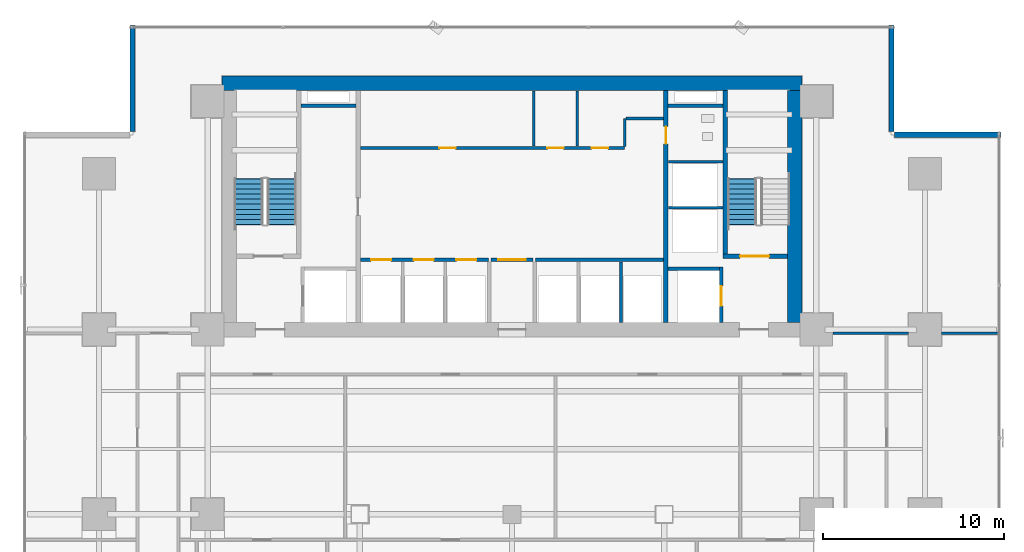
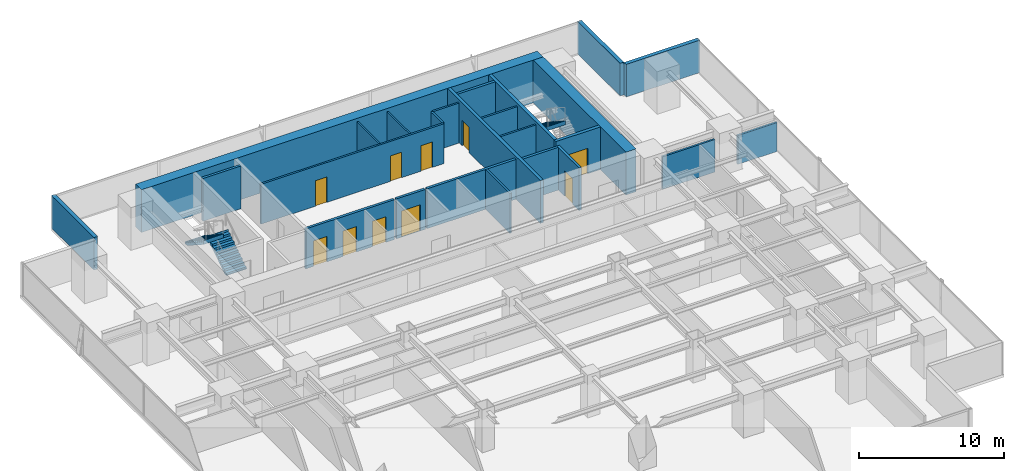
# One storey, part 25 of 32: 25 walls, 10 doors, 3 stair flights, 10 openings, 2 elements without a shape of their own.
"""IFC4 building model written with IfcOpenShell, lengths in metres."""

from ifc_helpers import new_model, si_unit, direction, frame, frame_2d, origin, place, context, subcontext, project, spatial, polyline, rectangle, outline, extrude, source, transform, mapped, material, layer, layer_set, type_object, element, fill, aggregate, save


model = new_model("IFC4")

# Units and contexts
model_context = context("Model", 3, precision=1e-05, world=origin(), true_north=direction((0.0, 1.0)))
body_context = subcontext(model_context, "Body", "Model", "MODEL_VIEW")
ifc_project = project(units=[si_unit("LENGTHUNIT", "METRE"), si_unit("AREAUNIT", "SQUARE_METRE"), si_unit("VOLUMEUNIT", "CUBIC_METRE"), si_unit("PLANEANGLEUNIT", "RADIAN"), si_unit("MASSUNIT", "GRAM", prefix="KILO")], contexts=[model_context])

# Site, building, storey
site_placement = place(None, origin())
site = spatial("IfcSite", under=ifc_project, at=site_placement, CompositionType="ELEMENT")
building_placement = place(site_placement, origin())
building = spatial("IfcBuilding", under=site, at=building_placement, Name="Sumidabori Civic Tower", CompositionType="ELEMENT")
storey_placement = place(building_placement, frame((0.0, 0.0, 52.39990234375)))
storey = spatial("IfcBuildingStorey", under=building, at=storey_placement, Name="L13", CompositionType="ELEMENT", Elevation=52.39990234375)

# Walls
ifc_material_1 = material(Name="Concrete C60/75", Category="concrete")
ifc_layer_1 = layer(ifc_material_1, 0.800048828125, Name="Concrete C60/75")
ifc_layer_set_1 = layer_set([ifc_layer_1], Name="Concrete C60/75")
wall_type_1 = type_object("IfcWallType", Name="WL-CORE-800", PredefinedType="SHEAR", material=ifc_layer_set_1)
shared_shape_1 = source(origin(), body_context, "Body", "SweptSolid", [
    extrude(rectangle(XDim=32.0, YDim=0.800048828125, at=frame_2d((16.0, 0.0))), origin(), (0.0, 0.0, 1.0), 3.60009765625),
])
wall_1_placement = place(storey_placement, frame((-16.0, 23.800048828125, 0.0), z_axis=(0.0, 0.0, 1.0), x_axis=(1.0, 0.0, 0.0)))
element("IfcWall", 1, at=wall_1_placement, inside=storey, type_object=wall_type_1, Name="Core Shear Wall L13 N", PredefinedType="SHEAR", context=body_context, shape_type="MappedRepresentation", body=[
    mapped(shared_shape_1, transform((0.0, 0.0, 0.0), x_axis=(1.0, 0.0, 0.0), y_axis=(0.0, 1.0, 0.0), z_axis=(0.0, 0.0, 1.0), scale=1.0)),
])
shared_shape_2 = source(origin(), body_context, "Body", "SweptSolid", [
    extrude(rectangle(XDim=12.7998046875, YDim=0.800048828125, at=frame_2d((6.39990234375, 0.0))), origin(), (0.0, 0.0, 1.0), 3.60009765625),
])
wall_2_placement = place(storey_placement, frame((15.60009765625, 10.60009765625, 0.0), z_axis=(0.0, 0.0, 1.0), x_axis=(0.0, 1.0, 0.0)))
element("IfcWall", 2, at=wall_2_placement, inside=storey, type_object=wall_type_1, Name="Core Shear Wall L13 E", PredefinedType="SHEAR", context=body_context, shape_type="MappedRepresentation", body=[
    mapped(shared_shape_2, transform((0.0, 0.0, 0.0), x_axis=(1.0, 0.0, 0.0), y_axis=(0.0, 1.0, 0.0), z_axis=(0.0, 0.0, 1.0), scale=1.0)),
])

# Wall, opening, door
ifc_material_2 = material(Name="Concrete C50/60", Category="concrete")
ifc_layer_2 = layer(ifc_material_2, 0.25, Name="Concrete C50/60")
ifc_layer_set_2 = layer_set([ifc_layer_2], Name="Concrete C50/60")
wall_type_2 = type_object("IfcWallType", Name="WL-SHAFT-250", PredefinedType="SHEAR", material=ifc_layer_set_2)
shared_shape_3 = source(origin(), body_context, "Body", "SweptSolid", [
    extrude(rectangle(XDim=12.7998046875, YDim=0.25, at=frame_2d((6.39990234375, 0.0))), origin(), (0.0, 0.0, 1.0), 3.60009765625),
])
wall_3_placement = place(storey_placement, frame((8.5, 10.60009765625, 0.0), z_axis=(0.0, 0.0, 1.0), x_axis=(0.0, 1.0, 0.0)))
wall_3 = element("IfcWall", 3, at=wall_3_placement, inside=storey, type_object=wall_type_2, Name="Core Shear Wall L13 WEB-E", PredefinedType="SHEAR", context=body_context, shape_type="MappedRepresentation", body=[
    mapped(shared_shape_3, transform((0.0, 0.0, 0.0), x_axis=(1.0, 0.0, 0.0), y_axis=(0.0, 1.0, 0.0), z_axis=(0.0, 0.0, 1.0), scale=1.0)),
])
opening_1_placement = place(wall_3_placement, frame((9.85009765625, 0.0, 0.0)))
opening_1 = element("IfcOpeningElement", 4, at=opening_1_placement, cuts=wall_3, Name="Opening DR-2", PredefinedType="OPENING", context=body_context, shape_type="SweptSolid", body=[
    extrude(rectangle(XDim=0.949951171875, YDim=2.14990234375, at=frame_2d((0.47509765625, 1.074951171875))), frame((0.0, 0.136962890625, 0.0), z_axis=(0.0, -1.0, 0.0), x_axis=(1.0, 0.0, 0.0)), (0.0, 0.0, 1.0), 0.27392578125),
])
ifc_material_3 = material(Name="Japanese Hinoki Timber", Category="wood")
door_type_1 = type_object("IfcDoorType", Name="DR-INT-950", OperationType="NOTDEFINED", PredefinedType="DOOR", material=ifc_material_3)
shared_shape_4 = source(origin(), body_context, "Body", "SweptSolid", [
    extrude(rectangle(XDim=0.949951171875, YDim=2.14990234375, at=frame_2d((0.47509765625, 1.074951171875))), frame((0.0, 0.02490234375, 0.0), z_axis=(0.0, -1.0, 0.0), x_axis=(1.0, 0.0, 0.0)), (0.0, 0.0, 1.0), 0.050048828125),
])
door_1_placement = place(opening_1_placement, origin())
door_1 = element("IfcDoor", 5, at=door_1_placement, inside=storey, type_object=door_type_1, Name="Door DR:L13:WC-ACC", OperationType="SINGLE_SWING_RIGHT", OverallHeight=2.14990234375, OverallWidth=0.949951171875, PredefinedType="DOOR", context=body_context, shape_type="MappedRepresentation", body=[
    mapped(shared_shape_4, transform((0.0, 0.0, 0.0), x_axis=(1.0, 0.0, 0.0), y_axis=(0.0, 1.0, 0.0), z_axis=(0.0, 0.0, 1.0), scale=1.0)),
])
fill(opening_1, door_1)

shared_shape_5 = source(origin(), body_context, "Body", "SweptSolid", [
    extrude(rectangle(XDim=3.554931640625, YDim=0.25, at=frame_2d((1.77734375, 0.0))), origin(), (0.0, 0.0, 1.0), 3.60009765625),
])
wall_4_placement = place(storey_placement, frame((11.64501953125, 14.25, 0.0), z_axis=(0.0, 0.0, 1.0), x_axis=(1.0, 0.0, 0.0)))
wall_4 = element("IfcWall", 6, at=wall_4_placement, inside=storey, type_object=wall_type_2, Name="Core Shear Wall L13 ST2-S", PredefinedType="SHEAR", context=body_context, shape_type="MappedRepresentation", body=[
    mapped(shared_shape_5, transform((0.0, 0.0, 0.0), x_axis=(1.0, 0.0, 0.0), y_axis=(0.0, 1.0, 0.0), z_axis=(0.0, 0.0, 1.0), scale=1.0)),
])
opening_2_placement = place(wall_4_placement, frame((0.949951171875, 0.0, 0.0)))
opening_2 = element("IfcOpeningElement", 7, at=opening_2_placement, cuts=wall_4, Name="Opening DR-FD4", PredefinedType="OPENING", context=body_context, shape_type="SweptSolid", body=[
    extrude(rectangle(XDim=1.60009765625, YDim=2.14990234375, at=frame_2d((0.800048828125, 1.074951171875))), frame((0.0, 0.136962890625, 0.0), z_axis=(0.0, -1.0, 0.0), x_axis=(1.0, 0.0, 0.0)), (0.0, 0.0, 1.0), 0.27392578125),
])
ifc_material_4 = material(Name="Steel SN490", Category="steel")
door_type_2 = type_object("IfcDoorType", Name="DR-FD4", OperationType="DOUBLE_DOOR_SINGLE_SWING", PredefinedType="DOOR", material=ifc_material_4)
shared_shape_6 = source(origin(), body_context, "Body", "SweptSolid", [
    extrude(rectangle(XDim=1.60009765625, YDim=2.14990234375, at=frame_2d((0.800048828125, 1.074951171875))), frame((0.0, 0.02490234375, 0.0), z_axis=(0.0, -1.0, 0.0), x_axis=(1.0, 0.0, 0.0)), (0.0, 0.0, 1.0), 0.050048828125),
])
door_2_placement = place(opening_2_placement, origin())
door_2 = element("IfcDoor", 8, at=door_2_placement, inside=storey, type_object=door_type_2, Name="Door DR:L13:ST2", OperationType="DOUBLE_DOOR_SINGLE_SWING", OverallHeight=2.14990234375, OverallWidth=1.60009765625, PredefinedType="DOOR", context=body_context, shape_type="MappedRepresentation", body=[
    mapped(shared_shape_6, transform((0.0, 0.0, 0.0), x_axis=(1.0, 0.0, 0.0), y_axis=(0.0, 1.0, 0.0), z_axis=(0.0, 0.0, 1.0), scale=1.0)),
])
fill(opening_2, door_2)

# Wall
shared_shape_7 = source(origin(), body_context, "Body", "SweptSolid", [
    extrude(rectangle(XDim=9.02490234375, YDim=0.25, at=frame_2d((4.512451171875, 0.0))), origin(), (0.0, 0.0, 1.0), 3.60009765625),
])
wall_5_placement = place(storey_placement, frame((11.77001953125, 14.375, 0.0), z_axis=(0.0, 0.0, 1.0), x_axis=(0.0, 1.0, 0.0)))
element("IfcWall", 9, at=wall_5_placement, inside=storey, type_object=wall_type_2, Name="Core Shear Wall L13 ST2-W", PredefinedType="SHEAR", context=body_context, shape_type="MappedRepresentation", body=[
    mapped(shared_shape_7, transform((0.0, 0.0, 0.0), x_axis=(1.0, 0.0, 0.0), y_axis=(0.0, 1.0, 0.0), z_axis=(0.0, 0.0, 1.0), scale=1.0)),
])

# Wall, opening, door
ifc_layer_3 = layer(ifc_material_2, 0.199951171875, Name="Concrete C50/60")
ifc_layer_set_3 = layer_set([ifc_layer_3], Name="Concrete C50/60")
wall_type_3 = type_object("IfcWallType", Name="WL-SHAFT-200", PredefinedType="SHEAR", material=ifc_layer_set_3)
shared_shape_8 = source(origin(), body_context, "Body", "SweptSolid", [
    extrude(rectangle(XDim=3.0498046875, YDim=0.199951171875, at=frame_2d((1.52490234375, 0.0))), origin(), (0.0, 0.0, 1.0), 3.60009765625),
])
wall_6_placement = place(storey_placement, frame((11.550048828125, 10.60009765625, 0.0), z_axis=(0.0, 0.0, 1.0), x_axis=(0.0, 1.0, 0.0)))
wall_6 = element("IfcWall", 10, at=wall_6_placement, inside=storey, type_object=wall_type_3, Name="Core Shear Wall L13 EL2-E", PredefinedType="SHEAR", context=body_context, shape_type="MappedRepresentation", body=[
    mapped(shared_shape_8, transform((0.0, 0.0, 0.0), x_axis=(1.0, 0.0, 0.0), y_axis=(0.0, 1.0, 0.0), z_axis=(0.0, 0.0, 1.0), scale=1.0)),
])
opening_3_placement = place(wall_6_placement, frame((0.89990234375, 0.0, 0.0)))
opening_3 = element("IfcOpeningElement", 11, at=opening_3_placement, cuts=wall_6, Name="Opening LD-2", PredefinedType="OPENING", context=body_context, shape_type="SweptSolid", body=[
    extrude(rectangle(XDim=1.10009765625, YDim=2.14990234375, at=frame_2d((0.550048828125, 1.074951171875))), frame((0.0, 0.11181640625, 0.0), z_axis=(0.0, -1.0, 0.0), x_axis=(1.0, 0.0, 0.0)), (0.0, 0.0, 1.0), 0.223876953125),
])
ifc_material_5 = material(Name="Stainless Steel Hairline Finish", Category="steel")
door_type_3 = type_object("IfcDoorType", Name="DR-LD2", OperationType="DOUBLE_DOOR_SLIDING", PredefinedType="DOOR", material=ifc_material_5)
shared_shape_9 = source(origin(), body_context, "Body", "SweptSolid", [
    extrude(rectangle(XDim=1.10009765625, YDim=2.14990234375, at=frame_2d((0.550048828125, 1.074951171875))), frame((0.0, 0.02490234375, 0.0), z_axis=(0.0, -1.0, 0.0), x_axis=(1.0, 0.0, 0.0)), (0.0, 0.0, 1.0), 0.050048828125),
])
door_3_placement = place(opening_3_placement, origin())
door_3 = element("IfcDoor", 12, at=door_3_placement, inside=storey, type_object=door_type_3, Name="Door DR:L13:LD-EL2", OperationType="DOUBLE_DOOR_SLIDING", OverallHeight=2.14990234375, OverallWidth=1.10009765625, PredefinedType="DOOR", context=body_context, shape_type="MappedRepresentation", body=[
    mapped(shared_shape_9, transform((0.0, 0.0, 0.0), x_axis=(1.0, 0.0, 0.0), y_axis=(0.0, 1.0, 0.0), z_axis=(0.0, 0.0, 1.0), scale=1.0)),
])
fill(opening_3, door_3)

# Walls
shared_shape_10 = source(origin(), body_context, "Body", "SweptSolid", [
    extrude(rectangle(XDim=2.824951171875, YDim=0.199951171875, at=frame_2d((1.41259765625, 0.0))), origin(), (0.0, 0.0, 1.0), 3.60009765625),
])
wall_7_placement = place(storey_placement, frame((8.625, 13.550048828125, 0.0), z_axis=(0.0, 0.0, 1.0), x_axis=(1.0, 0.0, 0.0)))
element("IfcWall", 13, at=wall_7_placement, inside=storey, type_object=wall_type_3, Name="Core Shear Wall L13 EL2-N", PredefinedType="SHEAR", context=body_context, shape_type="MappedRepresentation", body=[
    mapped(shared_shape_10, transform((0.0, 0.0, 0.0), x_axis=(1.0, 0.0, 0.0), y_axis=(0.0, 1.0, 0.0), z_axis=(0.0, 0.0, 1.0), scale=1.0)),
])
shared_shape_11 = source(origin(), body_context, "Body", "SweptSolid", [
    extrude(rectangle(XDim=3.02001953125, YDim=0.199951171875, at=frame_2d((1.510009765625, 0.0))), origin(), (0.0, 0.0, 1.0), 3.60009765625),
])
for number, where, z_axis, x_axis, name in (
    (14, (-11.64501953125, 22.550048828125, 0.0), (0.0, 0.0, 1.0), (1.0, 0.0, 0.0), "Core Shear Wall L13 RIS1-S"),
    (15, (8.625, 22.550048828125, 0.0), (0.0, 0.0, 1.0), (1.0, 0.0, 0.0), "Core Shear Wall L13 RIS2-S"),
):
    element("IfcWall", number, at=place(storey_placement, frame(where, z_axis=z_axis, x_axis=x_axis)), inside=storey, type_object=wall_type_3, Name=name, PredefinedType="SHEAR", context=body_context, shape_type="MappedRepresentation", body=[
        mapped(shared_shape_11, transform((0.0, 0.0, 0.0), x_axis=(1.0, 0.0, 0.0), y_axis=(0.0, 1.0, 0.0), z_axis=(0.0, 0.0, 1.0), scale=1.0)),
    ])
ifc_material_6 = material(Name="Precast concrete C40/50", Category="concrete")
ifc_layer_4 = layer(ifc_material_6, 0.300048828125, Name="Precast concrete C40/50")
ifc_layer_set_4 = layer_set([ifc_layer_4], Name="Precast concrete C40/50")
wall_type_4 = type_object("IfcWallType", Name="WL-EXT-POD300", PredefinedType="STANDARD", material=ifc_layer_set_4)
shared_shape_12 = source(origin(), body_context, "Body", "SweptSolid", [
    extrude(rectangle(XDim=5.85986328125, YDim=0.300048828125, at=frame_2d((2.929931640625, 0.0))), origin(), (0.0, 0.0, 1.0), 2.739990234375),
])
for number, where, z_axis, x_axis, name in (
    (16, (26.97998046875, 20.949951171875, 0.0), (0.0, 0.0, 1.0), (-1.0, 0.0, 0.0), "Notched Corner Spandrel Band L13-05"),
    (17, (20.949951171875, 21.1201171875, 0.0), (0.0, 0.0, 1.0), (0.0, 1.0, 0.0), "Notched Corner Spandrel Band L13-06"),
    (18, (-20.949951171875, 26.97998046875, 0.0), (0.0, 0.0, 1.0), (0.0, -1.0, 0.0), "Notched Corner Spandrel Band L13-08"),
):
    element("IfcWall", number, at=place(storey_placement, frame(where, z_axis=z_axis, x_axis=x_axis)), inside=storey, type_object=wall_type_4, Name=name, PredefinedType="STANDARD", context=body_context, shape_type="MappedRepresentation", body=[
        mapped(shared_shape_12, transform((0.0, 0.0, 0.0), x_axis=(1.0, 0.0, 0.0), y_axis=(0.0, 1.0, 0.0), z_axis=(0.0, 0.0, 1.0), scale=1.0)),
    ])
ifc_material_7 = material(Name="Gypsum Plasterboard Acoustic Partition")
ifc_layer_5 = layer(ifc_material_7, 0.14990234375, Name="Gypsum Plasterboard Acoustic Partition")
ifc_layer_set_5 = layer_set([ifc_layer_5], Name="Gypsum Plasterboard Acoustic Partition")
wall_type_5 = type_object("IfcWallType", Name="WL-PART-150", PredefinedType="PARTITIONING", material=ifc_layer_set_5)
shared_shape_13 = source(origin(), body_context, "Body", "SweptSolid", [
    extrude(rectangle(XDim=3.010009765625, YDim=0.14990234375, at=frame_2d((1.5048828125, 0.0))), origin(), (0.0, 0.0, 1.0), 3.360107421875),
])
for number, where, z_axis, x_axis, name in (
    (19, (8.6298828125, 16.919921875, 0.0), (0.0, 0.0, 1.0), (1.0, 0.0, 0.0), "Interior Partition WL:L13:DIV-OBS1"),
    (20, (8.6298828125, 19.469970703125, 0.0), (0.0, 0.0, 1.0), (1.0, 0.0, 0.0), "Interior Partition WL:L13:DIV-OBS2"),
):
    element("IfcWall", number, at=place(storey_placement, frame(where, z_axis=z_axis, x_axis=x_axis)), inside=storey, type_object=wall_type_5, Name=name, PredefinedType="PARTITIONING", context=body_context, shape_type="MappedRepresentation", body=[
        mapped(shared_shape_13, transform((0.0, 0.0, 0.0), x_axis=(1.0, 0.0, 0.0), y_axis=(0.0, 1.0, 0.0), z_axis=(0.0, 0.0, 1.0), scale=1.0)),
    ])

# Wall, openings, doors
ifc_material_8 = material(Name="Gypsum Plasterboard Fire Partition")
ifc_layer_6 = layer(ifc_material_8, 0.199951171875, Name="Gypsum Plasterboard Fire Partition")
ifc_layer_set_6 = layer_set([ifc_layer_6], Name="Gypsum Plasterboard Fire Partition")
wall_type_6 = type_object("IfcWallType", Name="WL-PART-FIRE", PredefinedType="PARTITIONING", material=ifc_layer_set_6)
shared_shape_14 = source(origin(), body_context, "Body", "SweptSolid", [
    extrude(rectangle(XDim=7.070068359375, YDim=0.199951171875, at=frame_2d((3.53515625, 0.0))), origin(), (0.0, 0.0, 1.0), 3.360107421875),
])
wall_8_placement = place(storey_placement, frame((-8.3701171875, 14.050048828125, 0.0), z_axis=(0.0, 0.0, 1.0), x_axis=(1.0, 0.0, 0.0)))
wall_8 = element("IfcWall", 21, at=wall_8_placement, inside=storey, type_object=wall_type_6, Name="Interior Partition WL:L13:CBAND-SW", PredefinedType="PARTITIONING", context=body_context, shape_type="MappedRepresentation", body=[
    mapped(shared_shape_14, transform((0.0, 0.0, 0.0), x_axis=(1.0, 0.0, 0.0), y_axis=(0.0, 1.0, 0.0), z_axis=(0.0, 0.0, 1.0), scale=1.0)),
])
opening_4_placement = place(wall_8_placement, frame((0.60009765625, 0.0, 0.0)))
opening_4 = element("IfcOpeningElement", 22, at=opening_4_placement, cuts=wall_8, Name="Opening LD-1", PredefinedType="OPENING", context=body_context, shape_type="SweptSolid", body=[
    extrude(rectangle(XDim=1.10009765625, YDim=2.14990234375, at=frame_2d((0.550048828125, 1.074951171875))), frame((0.0, 0.11181640625, 0.0), z_axis=(0.0, -1.0, 0.0), x_axis=(1.0, 0.0, 0.0)), (0.0, 0.0, 1.0), 0.223876953125),
])
opening_5_placement = place(wall_8_placement, frame((2.949951171875, 0.0, 0.0)))
opening_5 = element("IfcOpeningElement", 23, at=opening_5_placement, cuts=wall_8, Name="Opening LD-1", PredefinedType="OPENING", context=body_context, shape_type="SweptSolid", body=[
    extrude(rectangle(XDim=1.10009765625, YDim=2.14990234375, at=frame_2d((0.550048828125, 1.074951171875))), frame((0.0, 0.11181640625, 0.0), z_axis=(0.0, -1.0, 0.0), x_axis=(1.0, 0.0, 0.0)), (0.0, 0.0, 1.0), 0.223876953125),
])
opening_6_placement = place(wall_8_placement, frame((5.300048828125, 0.0, 0.0)))
opening_6 = element("IfcOpeningElement", 24, at=opening_6_placement, cuts=wall_8, Name="Opening LD-1", PredefinedType="OPENING", context=body_context, shape_type="SweptSolid", body=[
    extrude(rectangle(XDim=1.10009765625, YDim=2.14990234375, at=frame_2d((0.550048828125, 1.074951171875))), frame((0.0, 0.11181640625, 0.0), z_axis=(0.0, -1.0, 0.0), x_axis=(1.0, 0.0, 0.0)), (0.0, 0.0, 1.0), 0.223876953125),
])
door_type_4 = type_object("IfcDoorType", Name="DR-LD1", OperationType="DOUBLE_DOOR_SLIDING", PredefinedType="DOOR", material=ifc_material_5)
door_4_placement = place(opening_4_placement, origin())
door_4 = element("IfcDoor", 25, at=door_4_placement, inside=storey, type_object=door_type_4, Name="Door DR:L13:LD-PLL1", OperationType="DOUBLE_DOOR_SLIDING", OverallHeight=2.14990234375, OverallWidth=1.10009765625, PredefinedType="DOOR", context=body_context, shape_type="MappedRepresentation", body=[
    mapped(shared_shape_9, transform((0.0, 0.0, 0.0), x_axis=(1.0, 0.0, 0.0), y_axis=(0.0, 1.0, 0.0), z_axis=(0.0, 0.0, 1.0), scale=1.0)),
])
fill(opening_4, door_4)
door_5_placement = place(opening_5_placement, origin())
door_5 = element("IfcDoor", 26, at=door_5_placement, inside=storey, type_object=door_type_4, Name="Door DR:L13:LD-PLL2", OperationType="DOUBLE_DOOR_SLIDING", OverallHeight=2.14990234375, OverallWidth=1.10009765625, PredefinedType="DOOR", context=body_context, shape_type="MappedRepresentation", body=[
    mapped(shared_shape_9, transform((0.0, 0.0, 0.0), x_axis=(1.0, 0.0, 0.0), y_axis=(0.0, 1.0, 0.0), z_axis=(0.0, 0.0, 1.0), scale=1.0)),
])
fill(opening_5, door_5)
door_6_placement = place(opening_6_placement, origin())
door_6 = element("IfcDoor", 27, at=door_6_placement, inside=storey, type_object=door_type_4, Name="Door DR:L13:LD-PLL3", OperationType="DOUBLE_DOOR_SLIDING", OverallHeight=2.14990234375, OverallWidth=1.10009765625, PredefinedType="DOOR", context=body_context, shape_type="MappedRepresentation", body=[
    mapped(shared_shape_9, transform((0.0, 0.0, 0.0), x_axis=(1.0, 0.0, 0.0), y_axis=(0.0, 1.0, 0.0), z_axis=(0.0, 0.0, 1.0), scale=1.0)),
])
fill(opening_6, door_6)

# Wall
wall_9_placement = place(storey_placement, frame((1.300048828125, 14.050048828125, 0.0), z_axis=(0.0, 0.0, 1.0), x_axis=(1.0, 0.0, 0.0)))
element("IfcWall", 28, at=wall_9_placement, inside=storey, type_object=wall_type_6, Name="Interior Partition WL:L13:CBAND-SE", PredefinedType="PARTITIONING", context=body_context, shape_type="MappedRepresentation", body=[
    mapped(shared_shape_14, transform((0.0, 0.0, 0.0), x_axis=(1.0, 0.0, 0.0), y_axis=(0.0, 1.0, 0.0), z_axis=(0.0, 0.0, 1.0), scale=1.0)),
])

# Wall, opening, door
shared_shape_15 = source(origin(), body_context, "Body", "SweptSolid", [
    extrude(rectangle(XDim=2.2998046875, YDim=0.199951171875, at=frame_2d((1.14990234375, 0.0))), origin(), (0.0, 0.0, 1.0), 3.360107421875),
])
wall_10_placement = place(storey_placement, frame((-1.14990234375, 14.050048828125, 0.0), z_axis=(0.0, 0.0, 1.0), x_axis=(1.0, 0.0, 0.0)))
wall_10 = element("IfcWall", 29, at=wall_10_placement, inside=storey, type_object=wall_type_6, Name="Interior Partition WL:L13:THROAT-N", PredefinedType="PARTITIONING", context=body_context, shape_type="MappedRepresentation", body=[
    mapped(shared_shape_15, transform((0.0, 0.0, 0.0), x_axis=(1.0, 0.0, 0.0), y_axis=(0.0, 1.0, 0.0), z_axis=(0.0, 0.0, 1.0), scale=1.0)),
])
opening_7_placement = place(wall_10_placement, frame((0.39990234375, 0.0, 0.0)))
opening_7 = element("IfcOpeningElement", 30, at=opening_7_placement, cuts=wall_10, Name="Opening DR-FD3", PredefinedType="OPENING", context=body_context, shape_type="SweptSolid", body=[
    extrude(rectangle(XDim=1.5, YDim=2.199951171875, at=frame_2d((0.75, 1.10009765625))), frame((0.0, 0.11181640625, 0.0), z_axis=(0.0, -1.0, 0.0), x_axis=(1.0, 0.0, 0.0)), (0.0, 0.0, 1.0), 0.223876953125),
])
door_type_5 = type_object("IfcDoorType", Name="DR-FD-DBL", OperationType="DOUBLE_DOOR_SINGLE_SWING", PredefinedType="DOOR", material=ifc_material_4)
shared_shape_16 = source(origin(), body_context, "Body", "SweptSolid", [
    extrude(rectangle(XDim=1.5, YDim=2.199951171875, at=frame_2d((0.75, 1.10009765625))), frame((0.0, 0.02490234375, 0.0), z_axis=(0.0, -1.0, 0.0), x_axis=(1.0, 0.0, 0.0)), (0.0, 0.0, 1.0), 0.050048828125),
])
door_7_placement = place(opening_7_placement, origin())
door_7 = element("IfcDoor", 31, at=door_7_placement, inside=storey, type_object=door_type_5, Name="Door DR:L13:THROAT-IN", OperationType="DOUBLE_DOOR_SINGLE_SWING", OverallHeight=2.199951171875, OverallWidth=1.5, PredefinedType="DOOR", context=body_context, shape_type="MappedRepresentation", body=[
    mapped(shared_shape_16, transform((0.0, 0.0, 0.0), x_axis=(1.0, 0.0, 0.0), y_axis=(0.0, 1.0, 0.0), z_axis=(0.0, 0.0, 1.0), scale=1.0)),
])
fill(opening_7, door_7)

# Wall, openings, doors
shared_shape_17 = source(origin(), body_context, "Body", "SweptSolid", [
    extrude(rectangle(XDim=14.590087890625, YDim=0.14990234375, at=frame_2d((7.294921875, 0.0))), origin(), (0.0, 0.0, 1.0), 3.360107421875),
])
wall_11_placement = place(storey_placement, frame((-8.3701171875, 20.219970703125, 0.0), z_axis=(0.0, 0.0, 1.0), x_axis=(1.0, 0.0, 0.0)))
wall_11 = element("IfcWall", 32, at=wall_11_placement, inside=storey, type_object=wall_type_5, Name="Interior Partition WL:L13:CBAND-M", PredefinedType="PARTITIONING", context=body_context, shape_type="MappedRepresentation", body=[
    mapped(shared_shape_17, transform((0.0, 0.0, 0.0), x_axis=(1.0, 0.0, 0.0), y_axis=(0.0, 1.0, 0.0), z_axis=(0.0, 0.0, 1.0), scale=1.0)),
])
opening_8_placement = place(wall_11_placement, frame((4.360107421875, 0.0, 0.0)))
opening_8 = element("IfcOpeningElement", 33, at=opening_8_placement, cuts=wall_11, Name="Opening DR-1", PredefinedType="OPENING", context=body_context, shape_type="SweptSolid", body=[
    extrude(rectangle(XDim=0.89990234375, YDim=2.14990234375, at=frame_2d((0.449951171875, 1.074951171875))), frame((0.0, 0.0869140625, 0.0), z_axis=(0.0, -1.0, 0.0), x_axis=(1.0, 0.0, 0.0)), (0.0, 0.0, 1.0), 0.173828125),
])
opening_9_placement = place(wall_11_placement, frame((10.320068359375, 0.0, 0.0)))
opening_9 = element("IfcOpeningElement", 34, at=opening_9_placement, cuts=wall_11, Name="Opening DR-1", PredefinedType="OPENING", context=body_context, shape_type="SweptSolid", body=[
    extrude(rectangle(XDim=0.89990234375, YDim=2.14990234375, at=frame_2d((0.449951171875, 1.074951171875))), frame((0.0, 0.0869140625, 0.0), z_axis=(0.0, -1.0, 0.0), x_axis=(1.0, 0.0, 0.0)), (0.0, 0.0, 1.0), 0.173828125),
])
opening_10_placement = place(wall_11_placement, frame((12.77001953125, 0.0, 0.0)))
opening_10 = element("IfcOpeningElement", 35, at=opening_10_placement, cuts=wall_11, Name="Opening DR-1", PredefinedType="OPENING", context=body_context, shape_type="SweptSolid", body=[
    extrude(rectangle(XDim=0.89990234375, YDim=2.14990234375, at=frame_2d((0.449951171875, 1.074951171875))), frame((0.0, 0.0869140625, 0.0), z_axis=(0.0, -1.0, 0.0), x_axis=(1.0, 0.0, 0.0)), (0.0, 0.0, 1.0), 0.173828125),
])
door_type_6 = type_object("IfcDoorType", Name="DR-INT-900", OperationType="NOTDEFINED", PredefinedType="DOOR", material=ifc_material_3)
shared_shape_18 = source(origin(), body_context, "Body", "SweptSolid", [
    extrude(rectangle(XDim=0.89990234375, YDim=2.14990234375, at=frame_2d((0.449951171875, 1.074951171875))), frame((0.0, 0.02490234375, 0.0), z_axis=(0.0, -1.0, 0.0), x_axis=(1.0, 0.0, 0.0)), (0.0, 0.0, 1.0), 0.050048828125),
])
door_8_placement = place(opening_8_placement, origin())
door_8 = element("IfcDoor", 36, at=door_8_placement, inside=storey, type_object=door_type_6, Name="Door DR:L13:CB-1", OperationType="SINGLE_SWING_LEFT", OverallHeight=2.14990234375, OverallWidth=0.89990234375, PredefinedType="DOOR", context=body_context, shape_type="MappedRepresentation", body=[
    mapped(shared_shape_18, transform((0.0, 0.0, 0.0), x_axis=(1.0, 0.0, 0.0), y_axis=(0.0, 1.0, 0.0), z_axis=(0.0, 0.0, 1.0), scale=1.0)),
])
fill(opening_8, door_8)
door_9_placement = place(opening_9_placement, origin())
door_9 = element("IfcDoor", 37, at=door_9_placement, inside=storey, type_object=door_type_6, Name="Door DR:L13:CB-2", OperationType="SINGLE_SWING_RIGHT", OverallHeight=2.14990234375, OverallWidth=0.89990234375, PredefinedType="DOOR", context=body_context, shape_type="MappedRepresentation", body=[
    mapped(shared_shape_18, transform((0.0, 0.0, 0.0), x_axis=(1.0, 0.0, 0.0), y_axis=(0.0, 1.0, 0.0), z_axis=(0.0, 0.0, 1.0), scale=1.0)),
])
fill(opening_9, door_9)
door_10_placement = place(opening_10_placement, origin())
door_10 = element("IfcDoor", 38, at=door_10_placement, inside=storey, type_object=door_type_6, Name="Door DR:L13:CB-3", OperationType="SINGLE_SWING_LEFT", OverallHeight=2.14990234375, OverallWidth=0.89990234375, PredefinedType="DOOR", context=body_context, shape_type="MappedRepresentation", body=[
    mapped(shared_shape_18, transform((0.0, 0.0, 0.0), x_axis=(1.0, 0.0, 0.0), y_axis=(0.0, 1.0, 0.0), z_axis=(0.0, 0.0, 1.0), scale=1.0)),
])
fill(opening_10, door_10)

# Walls
shared_shape_19 = source(origin(), body_context, "Body", "SweptSolid", [
    extrude(rectangle(XDim=1.550048828125, YDim=0.14990234375, at=frame_2d((0.77490234375, 0.0))), origin(), (0.0, 0.0, 1.0), 3.360107421875),
])
wall_12_placement = place(storey_placement, frame((6.219970703125, 20.300048828125, 0.0), z_axis=(0.0, 0.0, 1.0), x_axis=(0.0, 1.0, 0.0)))
element("IfcWall", 39, at=wall_12_placement, inside=storey, type_object=wall_type_5, Name="Interior Partition WL:L13:CBAND-ME1", PredefinedType="PARTITIONING", context=body_context, shape_type="MappedRepresentation", body=[
    mapped(shared_shape_19, transform((0.0, 0.0, 0.0), x_axis=(1.0, 0.0, 0.0), y_axis=(0.0, 1.0, 0.0), z_axis=(0.0, 0.0, 1.0), scale=1.0)),
])
shared_shape_20 = source(origin(), body_context, "Body", "SweptSolid", [
    extrude(rectangle(XDim=2.070068359375, YDim=0.14990234375, at=frame_2d((1.03515625, 0.0))), origin(), (0.0, 0.0, 1.0), 3.360107421875),
])
wall_13_placement = place(storey_placement, frame((6.300048828125, 21.85009765625, 0.0), z_axis=(0.0, 0.0, 1.0), x_axis=(1.0, 0.0, 0.0)))
element("IfcWall", 40, at=wall_13_placement, inside=storey, type_object=wall_type_5, Name="Interior Partition WL:L13:CBAND-ME2", PredefinedType="PARTITIONING", context=body_context, shape_type="MappedRepresentation", body=[
    mapped(shared_shape_20, transform((0.0, 0.0, 0.0), x_axis=(1.0, 0.0, 0.0), y_axis=(0.0, 1.0, 0.0), z_axis=(0.0, 0.0, 1.0), scale=1.0)),
])
shared_shape_21 = source(origin(), body_context, "Body", "SweptSolid", [
    extrude(rectangle(XDim=3.33984375, YDim=0.14990234375, at=frame_2d((1.669921875, 0.0))), origin(), (0.0, 0.0, 1.0), 3.360107421875),
])
wall_14_placement = place(storey_placement, frame((6.02001953125, 10.60009765625, 0.0), z_axis=(0.0, 0.0, 1.0), x_axis=(0.0, 1.0, 0.0)))
element("IfcWall", 41, at=wall_14_placement, inside=storey, type_object=wall_type_5, Name="Interior Partition WL:L13:DIV-PLM2", PredefinedType="PARTITIONING", context=body_context, shape_type="MappedRepresentation", body=[
    mapped(shared_shape_21, transform((0.0, 0.0, 0.0), x_axis=(1.0, 0.0, 0.0), y_axis=(0.0, 1.0, 0.0), z_axis=(0.0, 0.0, 1.0), scale=1.0)),
])
ifc_layer_7 = layer(ifc_material_7, 0.1201171875, Name="Gypsum Plasterboard Acoustic Partition")
ifc_layer_set_7 = layer_set([ifc_layer_7], Name="Gypsum Plasterboard Acoustic Partition")
wall_type_7 = type_object("IfcWallType", Name="WL-PART-120", PredefinedType="PARTITIONING", material=ifc_layer_set_7)
shared_shape_22 = source(origin(), body_context, "Body", "SweptSolid", [
    extrude(rectangle(XDim=3.0400390625, YDim=0.1201171875, at=frame_2d((1.52001953125, 0.0))), origin(), (0.0, 0.0, 1.0), 3.360107421875),
])
for number, where, z_axis, x_axis, name in (
    (42, (1.199951171875, 20.320068359375, 0.0), (0.0, 0.0, 1.0), (0.0, 1.0, 0.0), "Interior Partition WL:L13:LV8-S1"),
    (43, (3.60009765625, 20.320068359375, 0.0), (0.0, 0.0, 1.0), (0.0, 1.0, 0.0), "Interior Partition WL:L13:LV8-S2"),
):
    element("IfcWall", number, at=place(storey_placement, frame(where, z_axis=z_axis, x_axis=x_axis)), inside=storey, type_object=wall_type_7, Name=name, PredefinedType="PARTITIONING", context=body_context, shape_type="MappedRepresentation", body=[
        mapped(shared_shape_22, transform((0.0, 0.0, 0.0), x_axis=(1.0, 0.0, 0.0), y_axis=(0.0, 1.0, 0.0), z_axis=(0.0, 0.0, 1.0), scale=1.0)),
    ])
shared_shape_23 = source(origin(), body_context, "Body", "SweptSolid", [
    extrude(rectangle(XDim=3.14013671875, YDim=0.14990234375, at=frame_2d((1.570068359375, 0.0))), origin(), (0.0, 0.0, 1.0), 2.43505859375),
])
wall_15_placement = place(storey_placement, frame((23.7099609375, 10.0, 0.0), z_axis=(0.0, 0.0, 1.0), x_axis=(1.0, 0.0, 0.0)))
element("IfcWall", 44, at=wall_15_placement, inside=storey, type_object=wall_type_5, Name="Interior Partition WL:L13:FLK-NE-2", PredefinedType="PARTITIONING", context=body_context, shape_type="MappedRepresentation", body=[
    mapped(shared_shape_23, transform((0.0, 0.0, 0.0), x_axis=(1.0, 0.0, 0.0), y_axis=(0.0, 1.0, 0.0), z_axis=(0.0, 0.0, 1.0), scale=1.0)),
])
shared_shape_24 = source(origin(), body_context, "Body", "SweptSolid", [
    extrude(rectangle(XDim=4.179931640625, YDim=0.14990234375, at=frame_2d((2.08984375, 0.0))), origin(), (0.0, 0.0, 1.0), 2.7451171875),
])
wall_16_placement = place(storey_placement, frame((17.7099609375, 10.0, 0.0), z_axis=(0.0, 0.0, 1.0), x_axis=(1.0, 0.0, 0.0)))
element("IfcWall", 45, at=wall_16_placement, inside=storey, type_object=wall_type_5, Name="Interior Partition WL:L13:FLK-NE-1", PredefinedType="PARTITIONING", context=body_context, shape_type="MappedRepresentation", body=[
    mapped(shared_shape_24, transform((0.0, 0.0, 0.0), x_axis=(1.0, 0.0, 0.0), y_axis=(0.0, 1.0, 0.0), z_axis=(0.0, 0.0, 1.0), scale=1.0)),
])

# Stair, stair flights
ifc_material_9 = material(Name="Concrete C40/50", Category="concrete")
stair_type = type_object("IfcStairType", Name="ST-CORE-1600", PredefinedType="HALF_TURN_STAIR", material=ifc_material_9)
stair_1_placement = place(storey_placement, origin())
stair_1 = element("IfcStair", 46, at=stair_1_placement, inside=storey, type_object=stair_type, Name="L13 ST-1", PredefinedType="HALF_TURN_STAIR")
stair_flight_type = type_object("IfcStairFlightType", Name="SF-CORE-1600", PredefinedType="STRAIGHT", material=ifc_material_9)
shared_shape_25 = source(origin(), body_context, "Body", "SweptSolid", [
    extrude(outline(polyline([(-0.02490234375, 0.0), (-0.02490234375, 0.0400390625), (0.0, 0.0400390625), (0.0, 0.179931640625), (0.280029296875, 0.179931640625), (0.280029296875, 0.360107421875), (0.56005859375, 0.360107421875), (0.56005859375, 0.5400390625), (0.840087890625, 0.5400390625), (0.840087890625, 0.719970703125), (1.1201171875, 0.719970703125), (1.1201171875, 0.89990234375), (1.39990234375, 0.89990234375), (1.39990234375, 1.080078125), (1.679931640625, 1.080078125), (1.679931640625, 1.260009765625), (1.9599609375, 1.260009765625), (1.9599609375, 1.43994140625), (2.239990234375, 1.43994140625), (2.239990234375, 1.6201171875), (2.52001953125, 1.6201171875), (2.52001953125, 1.800048828125), (2.544921875, 1.800048828125), (2.544921875, 1.650146484375), (2.52001953125, 1.44189453125), (0.277099609375, 0.0), (-0.02490234375, 0.0)])), frame((0.0, 0.800048828125, 0.0), z_axis=(0.0, -1.0, 0.0), x_axis=(1.0, 0.0, 0.0)), (0.0, 0.0, 1.0), 1.60009765625),
])
stair_flight_1_placement = place(storey_placement, frame((-12.699951171875, 16.0, 0.0), z_axis=(0.0, 0.0, 1.0), x_axis=(0.0, 1.0, 0.0)))
stair_flight_1 = element("IfcStairFlight", 47, at=stair_flight_1_placement, type_object=stair_flight_type, Name="ST-1 flight 1", NumberOfRisers=10, NumberOfTreads=9, PredefinedType="STRAIGHT", RiserHeight=0.18, TreadLength=0.28, context=body_context, shape_type="MappedRepresentation", body=[
    mapped(shared_shape_25, transform((0.0, 0.0, 0.0), x_axis=(1.0, 0.0, 0.0), y_axis=(0.0, 1.0, 0.0), z_axis=(0.0, 0.0, 1.0), scale=1.0)),
])
stair_flight_2_placement = place(storey_placement, frame((-14.5400390625, 18.52001953125, 1.800048828125), z_axis=(0.0, 0.0, 1.0), x_axis=(0.0, -1.0, 0.0)))
stair_flight_2 = element("IfcStairFlight", 48, at=stair_flight_2_placement, type_object=stair_flight_type, Name="ST-1 flight 2", NumberOfRisers=10, NumberOfTreads=9, PredefinedType="STRAIGHT", RiserHeight=0.18, TreadLength=0.28, context=body_context, shape_type="MappedRepresentation", body=[
    mapped(shared_shape_25, transform((0.0, 0.0, 0.0), x_axis=(1.0, 0.0, 0.0), y_axis=(0.0, 1.0, 0.0), z_axis=(0.0, 0.0, 1.0), scale=1.0)),
])
aggregate(stair_1, [stair_flight_1, stair_flight_2])

# Stair, stair flight
stair_2_placement = place(storey_placement, origin())
stair_2 = element("IfcStair", 49, at=stair_2_placement, inside=storey, type_object=stair_type, Name="L13 ST-2", PredefinedType="HALF_TURN_STAIR")
stair_flight_3_placement = place(storey_placement, frame((12.699951171875, 18.52001953125, 1.800048828125), z_axis=(0.0, 0.0, 1.0), x_axis=(0.0, -1.0, 0.0)))
stair_flight_3 = element("IfcStairFlight", 50, at=stair_flight_3_placement, type_object=stair_flight_type, Name="ST-2 flight 2", NumberOfRisers=10, NumberOfTreads=9, PredefinedType="STRAIGHT", RiserHeight=0.18, TreadLength=0.28, context=body_context, shape_type="MappedRepresentation", body=[
    mapped(shared_shape_25, transform((0.0, 0.0, 0.0), x_axis=(1.0, 0.0, 0.0), y_axis=(0.0, 1.0, 0.0), z_axis=(0.0, 0.0, 1.0), scale=1.0)),
])
aggregate(stair_2, [stair_flight_3])

save(model, "model.ifc")
